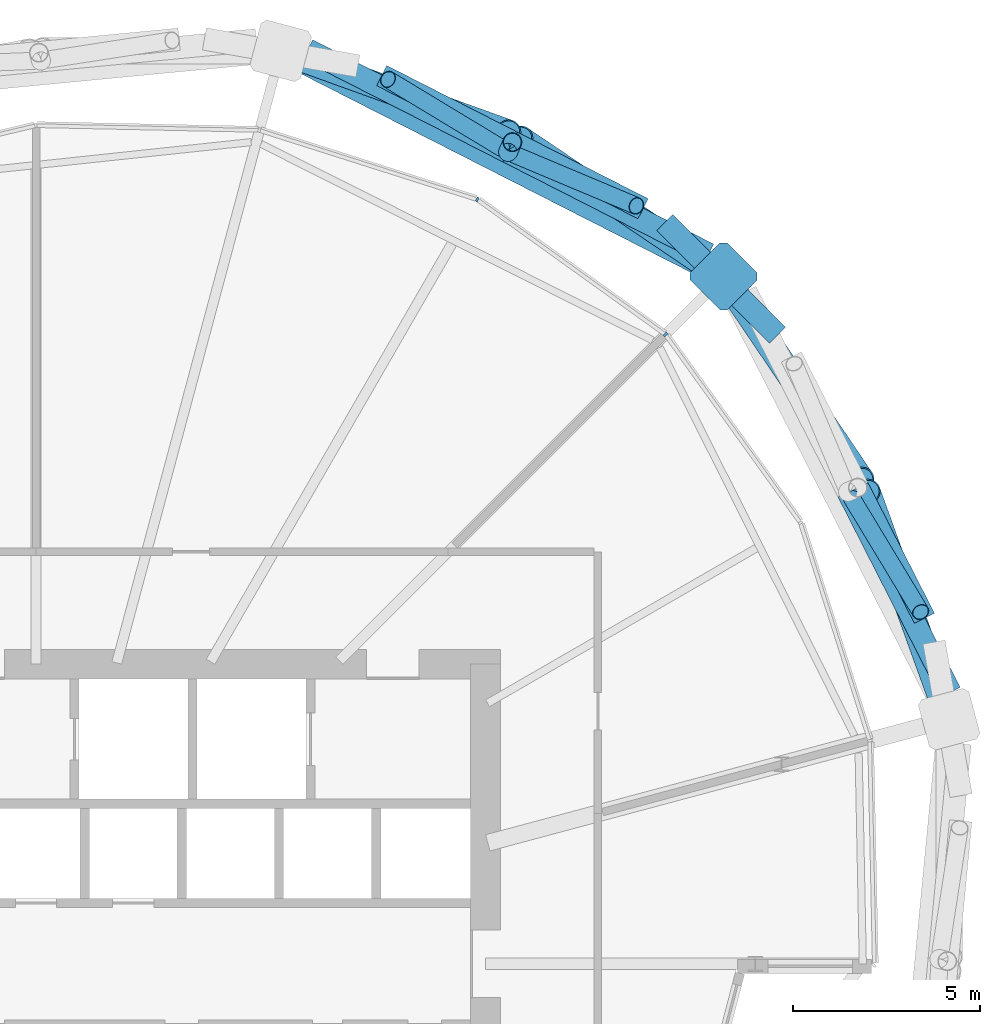
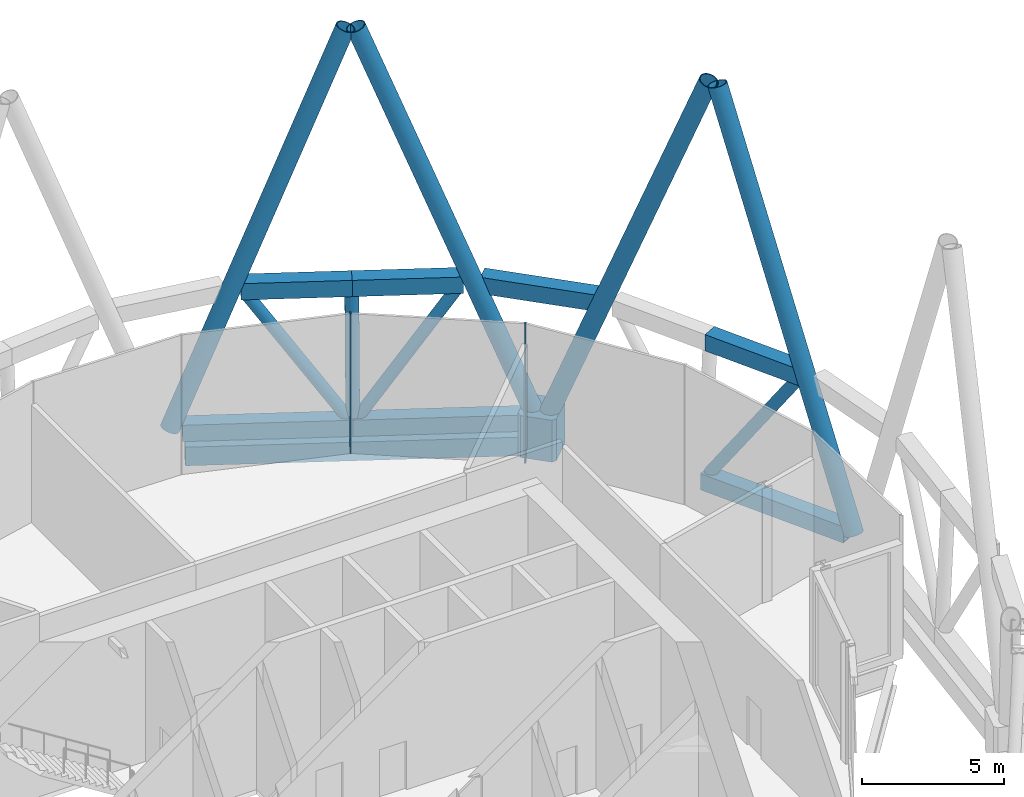
# One storey, part 24 of 33: 18 members, 1 beam, 1 element without a shape of its own.
"""IFC4 building model written with IfcOpenShell, lengths in metres."""

import ifcopenshell
import ifcopenshell.guid

model = None  # the IFC model being written
_history = None  # IfcOwnerHistory: only IFC2X3 demands one
_inside = {}  # id of a spatial element -> (the spatial element, [elements in it])
_under = {}  # id of a project, library or spatial element -> (it, [spatial elements below it])
_declared = {}  # id of a project -> (the project, [libraries it declares])
_typed = {}  # id of a type object -> (the type object, [elements of that type])
_made_of = {}  # id of a material, layer set ... -> (it, [elements and type objects made of it])


def new_model(schema):
    """Start an empty IFC model of exactly this schema.

    Asked for "IFC4X3", IfcOpenShell would pick the latest addendum, in which some entities
    have other attributes; the version numbers below select the first issue.
    IFC2X3 requires an IfcOwnerHistory on every rooted entity: one is made here for all.
    """
    global model, _history
    if schema == "IFC4X3":
        model = ifcopenshell.file(schema_version=(4, 3, 0, 0))
    else:
        model = ifcopenshell.file(schema=schema)
    _inside.clear()
    _under.clear()
    _declared.clear()
    _typed.clear()
    _made_of.clear()
    _history = None
    if model.schema == "IFC2X3":
        org = make("IfcOrganization", Name="unknown")
        user = make(
            "IfcPersonAndOrganization",
            ThePerson=make("IfcPerson", FamilyName="unknown"),
            TheOrganization=org,
        )
        app = make(
            "IfcApplication",
            ApplicationDeveloper=org,
            Version="unknown",
            ApplicationFullName="unknown",
            ApplicationIdentifier="unknown",
        )
        _history = make(
            "IfcOwnerHistory",
            OwningUser=user,
            OwningApplication=app,
            ChangeAction="ADDED",
            CreationDate=0,
        )
    return model


def make(cls, **values):
    """One entity of the class cls with the attributes given. An attribute that is None is left unset."""
    return model.create_entity(
        cls, **{name: value for name, value in values.items() if value is not None}
    )


def rooted(cls, **values):
    """An entity with a GlobalId (a new one), such as an element, a storey or a relation."""
    return make(cls, GlobalId=ifcopenshell.guid.new(), OwnerHistory=_history, **values)


def si_unit(unit_type, name, prefix=None):
    """IfcSIUnit, for example si_unit("LENGTHUNIT", "METRE", prefix="MILLI")."""
    return make("IfcSIUnit", UnitType=unit_type, Prefix=prefix, Name=name)


def assignment(units):
    """IfcUnitAssignment: the units of a project."""
    return None if units is None else make("IfcUnitAssignment", Units=units)


def point(xyz):
    """IfcCartesianPoint."""
    return None if xyz is None else make("IfcCartesianPoint", Coordinates=xyz)


def direction(xyz):
    """IfcDirection."""
    return None if xyz is None else make("IfcDirection", DirectionRatios=xyz)


def frame(location, z_axis=None, x_axis=None):
    """IfcAxis2Placement3D, a coordinate frame: its origin and axes. An axis left out is left unset."""
    return make(
        "IfcAxis2Placement3D",
        Location=point(location),
        Axis=direction(z_axis),
        RefDirection=direction(x_axis),
    )


def frame_2d(location, x_axis=None):
    """IfcAxis2Placement2D, a coordinate frame in the plane: its origin and x axis."""
    return make(
        "IfcAxis2Placement2D", Location=point(location), RefDirection=direction(x_axis)
    )


def origin():
    """The frame at (0, 0, 0) with its axes left unset."""
    return frame((0.0, 0.0, 0.0))


def origin_2d():
    """The frame at (0, 0) in the plane with its x axis left unset."""
    return frame_2d((0.0, 0.0))


def place(relative_to, where):
    """IfcLocalPlacement: puts the frame where relative to a parent placement (None: the world)."""
    return make(
        "IfcLocalPlacement", PlacementRelTo=relative_to, RelativePlacement=where
    )


def context(
    kind, dimensions, precision=None, world=None, true_north=None, identifier=None
):
    """IfcGeometricRepresentationContext, for example the 3D "Model" context."""
    return make(
        "IfcGeometricRepresentationContext",
        ContextIdentifier=identifier,
        ContextType=kind,
        CoordinateSpaceDimension=dimensions,
        Precision=precision,
        WorldCoordinateSystem=world,
        TrueNorth=true_north,
    )


def subcontext(parent, identifier, kind, view, scale=None):
    """IfcGeometricRepresentationSubContext, for example "Body" below "Model"."""
    return make(
        "IfcGeometricRepresentationSubContext",
        ContextIdentifier=identifier,
        ContextType=kind,
        ParentContext=parent,
        TargetScale=scale,
        TargetView=view,
    )


def project(units=None, contexts=None):
    """IfcProject with its units and contexts."""
    return rooted(
        "IfcProject",
        Name="project",
        RepresentationContexts=contexts,
        UnitsInContext=assignment(units),
    )


def spatial(cls, under=None, at=None, **own):
    """A site, building, storey or space (cls), placed at a placement, below another one or the project."""
    s = rooted(cls, ObjectPlacement=at, **own)
    if under is not None:
        _under.setdefault(under.id(), (under, []))[1].append(s)
    return s


def polyline(points):
    """IfcPolyline through the points."""
    return make("IfcPolyline", Points=[point(p) for p in points])


def profile(cls, at=None, kind="AREA", **sizes):
    """A parametric profile (cls). Its sizes go by their IFC names, for example OverallWidth=200.0."""
    return make(cls, ProfileType=kind, Position=at, **sizes)


def rectangle(**sizes):
    """IfcRectangleProfileDef."""
    return profile("IfcRectangleProfileDef", **sizes)


def hollow_rectangle(**sizes):
    """IfcRectangleHollowProfileDef."""
    return profile("IfcRectangleHollowProfileDef", **sizes)


def hollow_circle(**sizes):
    """IfcCircleHollowProfileDef."""
    return profile("IfcCircleHollowProfileDef", **sizes)


def outline(outer, holes=None, kind="AREA"):
    """IfcArbitraryClosedProfileDef: a profile drawn as a closed curve; with holes, ...WithVoids."""
    if holes is None:
        return make("IfcArbitraryClosedProfileDef", ProfileType=kind, OuterCurve=outer)
    return make(
        "IfcArbitraryProfileDefWithVoids",
        ProfileType=kind,
        OuterCurve=outer,
        InnerCurves=holes,
    )


def extrude(swept, where, along, depth):
    """IfcExtrudedAreaSolid: the profile swept, set in the frame where, extruded along a direction by depth."""
    return make(
        "IfcExtrudedAreaSolid",
        SweptArea=swept,
        Position=where,
        ExtrudedDirection=direction(along),
        Depth=depth,
    )


def shape(context_of_items, identifier, shape_type, items):
    """IfcShapeRepresentation: the items that make up one representation, for example the "Body"."""
    return make(
        "IfcShapeRepresentation",
        ContextOfItems=context_of_items,
        RepresentationIdentifier=identifier,
        RepresentationType=shape_type,
        Items=items,
    )


def material(Name=None, Category=None):
    """IfcMaterial."""
    return make("IfcMaterial", Name=Name, Category=Category)


def material_profile(
    of_material, cross_section, Name=None, Category=None, Priority=None
):
    """IfcMaterialProfile: a cross section and its material."""
    return make(
        "IfcMaterialProfile",
        Name=Name,
        Material=of_material,
        Profile=cross_section,
        Priority=Priority,
        Category=Category,
    )


def profile_set(profiles, Name=None, composite=None):
    """IfcMaterialProfileSet."""
    return make(
        "IfcMaterialProfileSet",
        Name=Name,
        MaterialProfiles=profiles,
        CompositeProfile=composite,
    )


def made_of(thing, what):
    """Note that an element or type object is made of a material, layer set ...; save() writes the relation."""
    if what is not None:
        _made_of.setdefault(what.id(), (what, []))[1].append(thing)
    return thing


def type_object(cls, material=None, **own):
    """A type object (cls), such as IfcWallType, which elements share."""
    return made_of(rooted(cls, **own), material)


def element(
    cls,
    number,
    at=None,
    inside=None,
    cuts=None,
    type_object=None,
    material=None,
    context=None,
    identifier="Body",
    shape_type=None,
    held_by="IfcProductDefinitionShape",
    body=None,
    shapes=None,
    **own,
):
    """One element of the class cls, such as IfcWall. Its Tag is "e" and its number.

    at: its placement. inside: the storey or other place that contains it. cuts: it is an
    opening in that element (IfcRelVoidsElement). A single representation is given by context,
    identifier, shape_type and body (its items); several are given by shapes. held_by: the class
    of the entity that holds the representations. save() writes the other relations.
    """
    e = rooted(cls, Tag="e%d" % number, ObjectPlacement=at, **own)
    if body is not None:
        shapes = [shape(context, identifier, shape_type, body)]
    if shapes is not None:
        e.Representation = make(held_by, Representations=shapes)
    if inside is not None:
        _inside.setdefault(inside.id(), (inside, []))[1].append(e)
    if cuts is not None:
        rooted(
            "IfcRelVoidsElement", RelatingBuildingElement=cuts, RelatedOpeningElement=e
        )
    if type_object is not None:
        _typed.setdefault(type_object.id(), (type_object, []))[1].append(e)
    return made_of(e, material)


def aggregate(whole, parts):
    """IfcRelAggregates: a whole, such as a stair, and the parts it consists of."""
    return rooted("IfcRelAggregates", RelatingObject=whole, RelatedObjects=parts)


def save(model, path):
    """Write the relations noted so far, then the file.

    IfcRelAggregates (storeys below a building ...), IfcRelContainedInSpatialStructure (elements
    in a storey), IfcRelDefinesByType, IfcRelAssociatesMaterial and IfcRelDeclares: one each for
    every whole, place, type object, material and project.
    """
    for whole, parts in _under.values():
        aggregate(whole, parts)
    for where, things in _inside.values():
        rooted(
            "IfcRelContainedInSpatialStructure",
            RelatedElements=things,
            RelatingStructure=where,
        )
    for kind, things in _typed.values():
        rooted("IfcRelDefinesByType", RelatedObjects=things, RelatingType=kind)
    for what, things in _made_of.values():
        rooted("IfcRelAssociatesMaterial", RelatedObjects=things, RelatingMaterial=what)
    for by, libraries in _declared.values():
        rooted("IfcRelDeclares", RelatingContext=by, RelatedDefinitions=libraries)
    model.write(path)


model = new_model("IFC4")

# Units and contexts
model_context = context("Model", 3, precision=1e-05, world=origin(), true_north=direction((0.0, 1.0)))
body_context = subcontext(model_context, "Body", "Model", "MODEL_VIEW")
ifc_project = project(units=[si_unit("LENGTHUNIT", "METRE"), si_unit("AREAUNIT", "SQUARE_METRE"), si_unit("VOLUMEUNIT", "CUBIC_METRE"), si_unit("PLANEANGLEUNIT", "RADIAN"), si_unit("MASSUNIT", "GRAM", prefix="KILO")], contexts=[model_context])

# Site, building, storey
site_placement = place(None, origin())
site = spatial("IfcSite", under=ifc_project, at=site_placement, CompositionType="ELEMENT")
building_placement = place(site_placement, origin())
building = spatial("IfcBuilding", under=site, at=building_placement, Name="Rimbun Link Towers", CompositionType="ELEMENT")
storey_placement = place(building_placement, frame((0.0, 0.0, 75.60009765625)))
storey = spatial("IfcBuildingStorey", under=building, at=storey_placement, Name="L18", CompositionType="ELEMENT", Elevation=75.60009765625)

# Members
ifc_material_1 = material(Name="Steel S460N", Category="steel")
ifc_material_profile_1 = material_profile(ifc_material_1, hollow_rectangle(XDim=0.60009765625, YDim=0.699951171875, WallThickness=0.034912109375, at=origin_2d()), Name="Belt truss chord BOX 600x700x35")
ifc_profile_set_1 = profile_set([ifc_material_profile_1], Name="Steel S460N")
member_type_1 = type_object("IfcMemberType", Name="Belt truss chord BOX 600x700x35", PredefinedType="CHORD", material=ifc_profile_set_1)
member_1_placement = place(storey_placement, frame((51.541259765625, 16.78662109375, 6.0), z_axis=(-0.707106781187, 0.707106781187, 0.0), x_axis=(-0.707106781187, -0.707106781187, 0.0)))
element("IfcMember", 1, at=member_1_placement, inside=storey, type_object=member_type_1, Name="Belt truss chord T2 L18 top 00", PredefinedType="CHORD", context=body_context, shape_type="SweptSolid", body=[
    extrude(hollow_rectangle(XDim=0.60009765625, YDim=0.699951171875, WallThickness=0.034912109375, at=origin_2d()), origin(), (0.0, 0.0, 1.0), 4.249267578125),
])
member_2_placement = place(storey_placement, frame((49.70556640625, 18.94921875, 0.18994140625), z_axis=(-0.891037636416, 0.453929433381, 0.0), x_axis=(-0.453929433381, -0.891037636416, 0.0)))
element("IfcMember", 2, at=member_2_placement, inside=storey, type_object=member_type_1, Name="Belt truss chord T2 L18 bottom 00", PredefinedType="CHORD", context=body_context, shape_type="SweptSolid", body=[
    extrude(hollow_rectangle(XDim=0.60009765625, YDim=0.699951171875, WallThickness=0.034912109375, at=origin_2d()), origin(), (0.0, 0.0, 1.0), 6.0087890625),
])
member_3_placement = place(storey_placement, frame((44.3515625, 21.6767578125, 0.18994140625), z_axis=(-0.891046008056, 0.453912999954, 0.0), x_axis=(-0.453912999954, -0.891046008056, 0.0)))
element("IfcMember", 3, at=member_3_placement, inside=storey, type_object=member_type_1, Name="Belt truss chord T2 L18 bottom 01", PredefinedType="CHORD", context=body_context, shape_type="SweptSolid", body=[
    extrude(hollow_rectangle(XDim=0.60009765625, YDim=0.699951171875, WallThickness=0.034912109375, at=origin_2d()), origin(), (0.0, 0.0, 1.0), 6.009033203125),
])
for number, where, z_axis, x_axis, name in (
    (4, (47.95458984375, 20.160888671875, 6.0), (-0.890997147251, 0.454008902546, 0.0), (-0.454008902546, -0.890997147251, 0.0), "Belt truss chord T2 L18 top 12"),
    (5, (44.465576171875, 21.938720703125, 6.0), (-0.891060430902, 0.453884686326, 0.0), (-0.453884686326, -0.891060430902, 0.0), "Belt truss chord T2 L18 top 13"),
):
    element("IfcMember", number, at=place(storey_placement, frame(where, z_axis=z_axis, x_axis=x_axis)), inside=storey, type_object=member_type_1, Name=name, PredefinedType="CHORD", context=body_context, shape_type="SweptSolid", body=[
        extrude(hollow_rectangle(XDim=0.60009765625, YDim=0.699951171875, WallThickness=0.034912109375, at=origin_2d()), origin(), (0.0, 0.0, 1.0), 3.915771484375),
    ])
member_4_placement = place(storey_placement, frame((56.154296875, 7.247314453125, 0.18994140625), z_axis=(-0.453912999954, 0.891046008056, 0.0), x_axis=(-0.891046008056, -0.453912999954, 0.0)))
element("IfcMember", 6, at=member_4_placement, inside=storey, type_object=member_type_1, Name="Belt truss chord T2 L18 bottom 22", PredefinedType="CHORD", context=body_context, shape_type="SweptSolid", body=[
    extrude(hollow_rectangle(XDim=0.60009765625, YDim=0.699951171875, WallThickness=0.034912109375, at=origin_2d()), origin(), (0.0, 0.0, 1.0), 6.009033203125),
])
member_5_placement = place(storey_placement, frame((55.466064453125, 9.226318359375, 6.0), z_axis=(-0.453884686326, 0.891060430902, 0.0), x_axis=(-0.891060430902, -0.453884686326, 0.0)))
element("IfcMember", 7, at=member_5_placement, inside=storey, type_object=member_type_1, Name="Belt truss chord T2 L18 top 34", PredefinedType="CHORD", context=body_context, shape_type="SweptSolid", body=[
    extrude(hollow_rectangle(XDim=0.60009765625, YDim=0.699951171875, WallThickness=0.034912109375, at=origin_2d()), origin(), (0.0, 0.0, 1.0), 3.915771484375),
])
ifc_material_2 = material(Name="Steel S355J2H", Category="steel")
ifc_material_profile_2 = material_profile(ifc_material_2, hollow_circle(Radius=0.228515625, WallThickness=0.01611328125, at=origin_2d()), Name="Belt truss diagonal CHS 457x16")
ifc_profile_set_2 = profile_set([ifc_material_profile_2], Name="Steel S355J2H")
member_type_2 = type_object("IfcMemberType", Name="Belt truss diagonal CHS 457x16", PredefinedType="BRACE", material=ifc_profile_set_2)
member_6_placement = place(storey_placement, frame((44.531494140625, 21.60107421875, 0.480224609375), z_axis=(0.514565342641, -0.216455219413, 0.82968044821), x_axis=(0.387746767601, 0.921765937869, 0.0)))
element("IfcMember", 8, at=member_6_placement, inside=storey, type_object=member_type_2, Name="Belt truss diagonal T2 L18 00", PredefinedType="BRACE", context=body_context, shape_type="SweptSolid", body=[
    extrude(hollow_circle(Radius=0.228515625, WallThickness=0.01611328125, at=origin_2d()), origin(), (0.0, 0.0, 1.0), 6.302734375),
])
for number, where, z_axis, x_axis, name in (
    (9, (44.18310546875, 21.778564453125, 0.4794921875), (-0.480657370724, 0.290418080335, 0.827421192975), (-0.517142928604, -0.855899054442, 0.0), "Belt truss diagonal T2 L18 01"),
    (10, (53.528564453125, 12.43310546875, 0.4794921875), (0.290418080335, -0.480657370724, 0.827421192975), (0.855899054442, 0.517142928604, 0.0), "Belt truss diagonal T2 L18 22"),
):
    element("IfcMember", number, at=place(storey_placement, frame(where, z_axis=z_axis, x_axis=x_axis)), inside=storey, type_object=member_type_2, Name=name, PredefinedType="BRACE", context=body_context, shape_type="SweptSolid", body=[
        extrude(hollow_circle(Radius=0.228515625, WallThickness=0.01611328125, at=origin_2d()), origin(), (0.0, 0.0, 1.0), 6.32177734375),
    ])
ifc_material_3 = material(Name="Steel S355J2H", Category="steel")
ifc_material_profile_3 = material_profile(ifc_material_3, hollow_circle(Radius=0.25390625, WallThickness=0.02001953125, at=origin_2d()), Name="Belt truss strut CHS 508x20")
ifc_profile_set_3 = profile_set([ifc_material_profile_3], Name="Steel S355J2H")
member_type_3 = type_object("IfcMemberType", Name="Belt truss strut CHS 508x20", PredefinedType="STRUT", material=ifc_profile_set_3)
member_7_placement = place(storey_placement, frame((44.3515625, 21.6767578125, 0.539794921875), z_axis=(0.022276615589, 0.051183744168, 0.998440772771), x_axis=(-0.916920549375, 0.399069801079, 0.0)))
element("IfcMember", 11, at=member_7_placement, inside=storey, type_object=member_type_3, Name="Belt truss strut T2 L18 00", PredefinedType="STRUT", context=body_context, shape_type="SweptSolid", body=[
    extrude(hollow_circle(Radius=0.25390625, WallThickness=0.02001953125, at=origin_2d()), origin(), (0.0, 0.0, 1.0), 5.1181640625),
])

# Curtain wall, members
ifc_material_4 = material(Name="Aluminium 6063-T6 louvre wall", Category="aluminium")
curtain_wall_type = type_object("IfcCurtainWallType", Name="CW6 plant floor louvre wall", PredefinedType="NOTDEFINED", material=ifc_material_4)
curtain_wall_placement = place(storey_placement, origin())
curtain_wall = element("IfcCurtainWall", 12, at=curtain_wall_placement, inside=storey, type_object=curtain_wall_type, Name="CW6 L18 T2", PredefinedType="NOTDEFINED")
ifc_material_5 = material(Name="Aluminium 6063-T6", Category="aluminium")
ifc_material_profile_4 = material_profile(ifc_material_5, rectangle(XDim=0.1201171875, YDim=0.06005859375, at=origin_2d()), Name="MULLION 60X120")
ifc_profile_set_4 = profile_set([ifc_material_profile_4], Name="Aluminium 6063-T6")
member_type_4 = type_object("IfcMemberType", Name="CW6 mullion 60X120", PredefinedType="MULLION", material=ifc_profile_set_4)
member_8_placement = place(storey_placement, frame((43.530029296875, 20.410888671875, 0.0), z_axis=(0.0, 0.0, 1.0), x_axis=(0.448572130878, 0.893746632665, 0.0)))
member_8 = element("IfcMember", 13, at=member_8_placement, type_object=member_type_4, Name="CW6 mullion", PredefinedType="MULLION", context=body_context, shape_type="SweptSolid", body=[
    extrude(rectangle(XDim=0.1201171875, YDim=0.06005859375, at=origin_2d()), origin(), (0.0, 0.0, 1.0), 6.0),
])
member_9_placement = place(storey_placement, frame((48.554931640625, 16.804931640625, 0.0), z_axis=(0.0, 0.0, 1.0), x_axis=(0.707106781187, 0.707106781187, 0.0)))
member_9 = element("IfcMember", 14, at=member_9_placement, type_object=member_type_4, Name="CW6 mullion", PredefinedType="MULLION", context=body_context, shape_type="SweptSolid", body=[
    extrude(rectangle(XDim=0.1201171875, YDim=0.06005859375, at=origin_2d()), origin(), (0.0, 0.0, 1.0), 6.0),
])
aggregate(curtain_wall, [member_8, member_9])

# Members
ifc_material_6 = material(Name="Steel S460NH", Category="steel")
ifc_material_profile_5 = material_profile(ifc_material_6, hollow_circle(Radius=0.355712890625, WallThickness=0.031982421875, at=origin_2d()), Name="Diagrid diagonal CHS 711x32")
ifc_profile_set_5 = profile_set([ifc_material_profile_5], Name="Steel S460NH")
member_type_5 = type_object("IfcMemberType", Name="Diagrid diagonal CHS 711x32", PredefinedType="BRACE", material=ifc_profile_set_5)
for number, where, z_axis, x_axis, name in (
    (15, (50.20458984375, 18.2041015625, 0.46630859375), (0.202084557736, -0.299089569852, 0.932580967386), (0.828592810601, 0.55985172521, 0.0), "Diagrid diagonal T2 L18-L22 00a"),
    (16, (49.9541015625, 18.45458984375, 0.46630859375), (-0.299089569852, 0.202084557736, 0.932580967386), (-0.55985172521, -0.828592810601, 0.0), "Diagrid diagonal T2 L18-L22 00b"),
):
    element("IfcMember", number, at=place(storey_placement, frame(where, z_axis=z_axis, x_axis=x_axis)), inside=storey, type_object=member_type_5, Name=name, PredefinedType="BRACE", context=body_context, shape_type="SweptSolid", body=[
        extrude(hollow_circle(Radius=0.355712890625, WallThickness=0.031982421875, at=origin_2d()), origin(), (0.0, 0.0, 1.0), 17.65771484375),
    ])
for number, where, z_axis, x_axis, name in (
    (17, (38.44921875, 24.31591796875, 0.467041015625), (0.33517208912, -0.120946238086, 0.934361642068), (0.339425662915, 0.940632882348, 0.0), "Diagrid diagonal T2 L18-L22 02a"),
    (18, (56.06591796875, 6.69921875, 0.467041015625), (-0.120946238086, 0.33517208912, 0.934361642068), (-0.940632882348, -0.339425662915, 0.0), "Diagrid diagonal T2 L18-L22 22b"),
):
    element("IfcMember", number, at=place(storey_placement, frame(where, z_axis=z_axis, x_axis=x_axis)), inside=storey, type_object=member_type_5, Name=name, PredefinedType="BRACE", context=body_context, shape_type="SweptSolid", body=[
        extrude(hollow_circle(Radius=0.355712890625, WallThickness=0.031982421875, at=origin_2d()), origin(), (0.0, 0.0, 1.0), 17.622314453125),
    ])
ifc_material_7 = material(Name="Cast steel G20Mn5+QT, Rp0.2 300 MPa", Category="steel")
ifc_material_profile_6 = material_profile(ifc_material_7, outline(polyline([(0.699951171875, -0.570068359375), (0.699951171875, 0.570068359375), (0.570068359375, 0.699951171875), (-0.570068359375, 0.699951171875), (-0.699951171875, 0.570068359375), (-0.699951171875, -0.570068359375), (-0.570068359375, -0.699951171875), (0.570068359375, -0.699951171875), (0.699951171875, -0.570068359375)])), Name="NODE 1400x1400")
ifc_profile_set_6 = profile_set([ifc_material_profile_6], Name="Cast steel G20Mn5+QT, Rp0.2 300 MPa")
member_type_6 = type_object("IfcMemberType", Name="Diagrid node cast 1400", PredefinedType="USERDEFINED", material=ifc_profile_set_6)
member_10_placement = place(storey_placement, frame((50.103515625, 18.353515625, -0.900146484375), z_axis=(0.0, 0.0, 1.0), x_axis=(0.707106781187, 0.707106781187, 0.0)))
element("IfcMember", 19, at=member_10_placement, inside=storey, type_object=member_type_6, Name="Diagrid node L18 00", ObjectType="Diagrid node", PredefinedType="USERDEFINED", context=body_context, shape_type="SweptSolid", body=[
    extrude(outline(polyline([(0.699951171875, -0.570068359375), (0.699951171875, 0.570068359375), (0.570068359375, 0.699951171875), (-0.570068359375, 0.699951171875), (-0.699951171875, 0.570068359375), (-0.699951171875, -0.570068359375), (-0.570068359375, -0.699951171875), (0.570068359375, -0.699951171875), (0.699951171875, -0.570068359375)])), origin(), (0.0, 0.0, 1.0), 1.800048828125),
])

# Beam
ifc_material_8 = material(Name="Steel S355J2", Category="steel")
ifc_material_profile_7 = material_profile(ifc_material_8, hollow_rectangle(XDim=0.60009765625, YDim=0.800048828125, WallThickness=0.0400390625, at=origin_2d()), Name="Exoskeleton ring girder BOX 600x800x40")
ifc_profile_set_7 = profile_set([ifc_material_profile_7], Name="Steel S355J2")
beam_type = type_object("IfcBeamType", Name="Exoskeleton ring girder BOX 600x800x40", PredefinedType="BEAM", material=ifc_profile_set_7)
beam_placement = place(storey_placement, frame((49.47998046875, 18.67138671875, -0.56005859375), z_axis=(-0.89103635703, 0.453931944734, 0.0), x_axis=(-0.453931944734, -0.89103635703, 0.0)))
element("IfcBeam", 20, at=beam_placement, inside=storey, type_object=beam_type, Name="Exoskeleton ring girder L18 00", PredefinedType="BEAM", context=body_context, shape_type="SweptSolid", body=[
    extrude(hollow_rectangle(XDim=0.60009765625, YDim=0.800048828125, WallThickness=0.0400390625, at=origin_2d()), origin(), (0.0, 0.0, 1.0), 11.867919921875),
])

save(model, "model.ifc")
